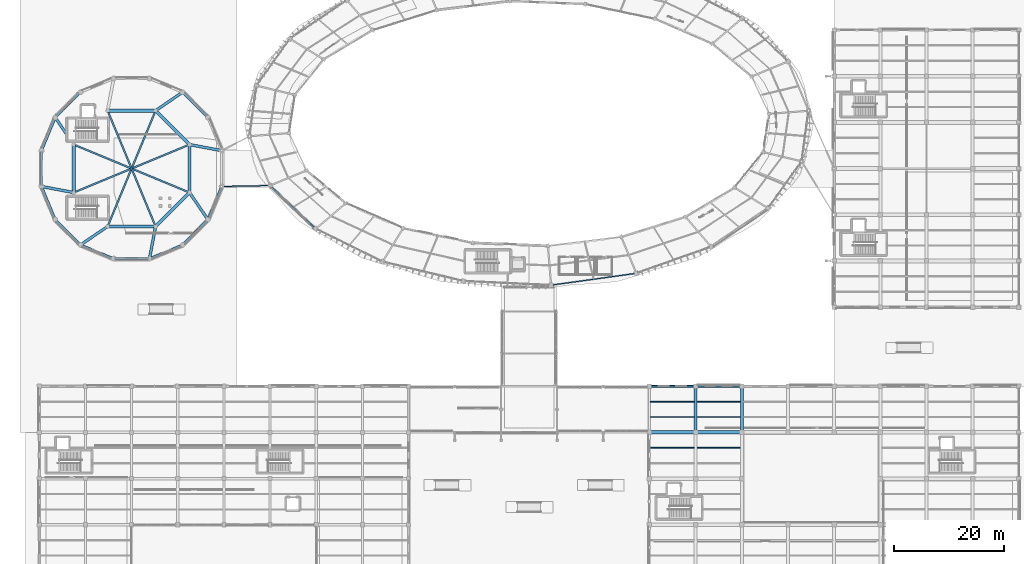
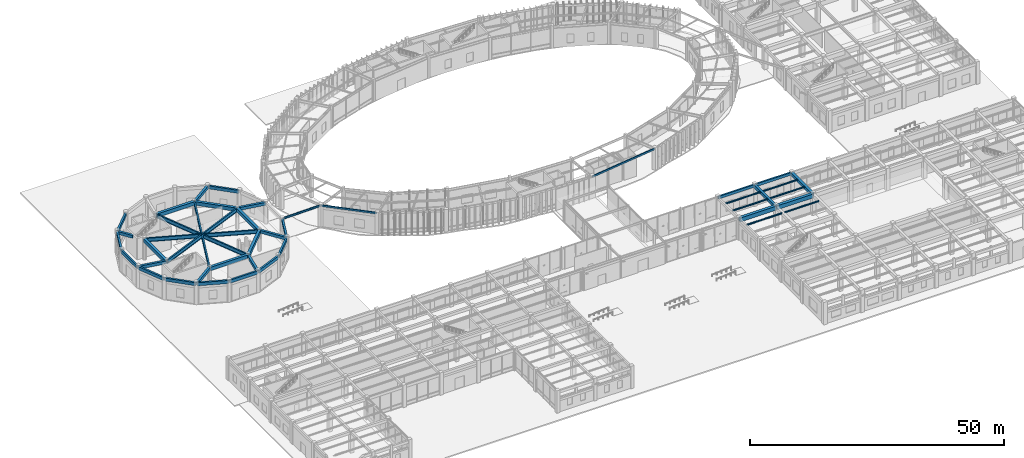
# One storey, part 42 of 157: 43 beams.
"""IFC4 building model written with IfcOpenShell, lengths in metres."""

from ifc_helpers import new_model, si_unit, direction, frame, origin, origin_2d, place, context, subcontext, project, spatial, rectangle, hollow_rectangle, i_section, extrude, material, material_profile, profile_set, type_object, element, save


model = new_model("IFC4")

# Units and contexts
model_context = context("Model", 3, precision=1e-05, world=origin(), true_north=direction((0.0, 1.0)))
body_context = subcontext(model_context, "Body", "Model", "MODEL_VIEW")
ifc_project = project(units=[si_unit("LENGTHUNIT", "METRE"), si_unit("AREAUNIT", "SQUARE_METRE"), si_unit("VOLUMEUNIT", "CUBIC_METRE"), si_unit("PLANEANGLEUNIT", "RADIAN"), si_unit("MASSUNIT", "GRAM", prefix="KILO"), si_unit("THERMODYNAMICTEMPERATUREUNIT", "KELVIN"), si_unit("POWERUNIT", "WATT")], contexts=[model_context])

# Site, building, storey
site_placement = place(None, origin())
site = spatial("IfcSite", under=ifc_project, at=site_placement, CompositionType="ELEMENT")
building_placement = place(site_placement, origin())
building = spatial("IfcBuilding", under=site, at=building_placement, Name="Darbajah Civic Hall", CompositionType="ELEMENT")
storey_placement = place(building_placement, origin())
storey = spatial("IfcBuildingStorey", under=building, at=storey_placement, Name="L00", CompositionType="ELEMENT", Elevation=0.0)

# Beams
ifc_material_1 = material(Name="Concrete C45/55", Category="concrete")
ifc_material_profile_1 = material_profile(ifc_material_1, rectangle(XDim=0.5, YDim=0.699951171875, at=origin_2d()), Name="RC BEAM 500x700")
ifc_profile_set_1 = profile_set([ifc_material_profile_1], Name="Concrete C45/55")
beam_type_1 = type_object("IfcBeamType", Name="RC BEAM 500x700", PredefinedType="BEAM", material=ifc_profile_set_1)
for number, where, z_axis, x_axis, name in (
    (1, (27.410888671875, 85.94775390625, 4.72998046875), (0.982632316348, -0.185563279957, 0.0), (0.185563279957, 0.982632316348, 0.0), "L00 beam BM-5070"),
    (2, (21.228759765625, 92.17724609375, 4.72998046875), (0.826037882137, 0.563614599949, 0.0), (-0.563614599949, 0.826037882137, 0.0), "L00 beam BM-5070"),
):
    element("IfcBeam", number, at=place(storey_placement, frame(where, z_axis=z_axis, x_axis=x_axis)), inside=storey, type_object=beam_type_1, Name=name, PredefinedType="BEAM", context=body_context, shape_type="SweptSolid", body=[
        extrude(rectangle(XDim=0.5, YDim=0.699951171875, at=origin_2d()), origin(), (0.0, 0.0, 1.0), 5.781005859375),
    ])
beam_1_placement = place(storey_placement, frame((4.860107421875, 88.02587890625, 4.72998046875), z_axis=(-0.563629589976, 0.826027654079, 0.0), x_axis=(-0.826027654079, -0.563629589976, 0.0)))
element("IfcBeam", 3, at=beam_1_placement, inside=storey, type_object=beam_type_1, Name="L00 beam BM-5070", PredefinedType="BEAM", context=body_context, shape_type="SweptSolid", body=[
    extrude(rectangle(XDim=0.5, YDim=0.699951171875, at=origin_2d()), origin(), (0.0, 0.0, 1.0), 3.363525390625),
])
for number, where, z_axis, x_axis, name in (
    (4, (6.189208984375, 77.252197265625, 4.72998046875), (-0.982626069841, 0.185596354676, 0.0), (-0.185596354676, -0.982626069841, 0.0), "L00 beam BM-5070"),
    (5, (12.371337890625, 71.022705078125, 4.72998046875), (-0.826051296586, -0.563594939126, 0.0), (0.563594939126, -0.826051296586, 0.0), "L00 beam BM-5070"),
    (6, (21.147705078125, 70.9892578125, 4.72998046875), (-0.185555579839, -0.982633770431, 0.0), (0.982633770431, -0.185555579839, 0.0), "L00 beam BM-5070"),
    (7, (27.377197265625, 77.17138671875, 4.72998046875), (0.563594939126, -0.826051296586, 0.0), (0.826051296586, 0.563594939126, 0.0), "L00 beam BM-5070"),
):
    element("IfcBeam", number, at=place(storey_placement, frame(where, z_axis=z_axis, x_axis=x_axis)), inside=storey, type_object=beam_type_1, Name=name, PredefinedType="BEAM", context=body_context, shape_type="SweptSolid", body=[
        extrude(rectangle(XDim=0.5, YDim=0.699951171875, at=origin_2d()), origin(), (0.0, 0.0, 1.0), 5.78125),
    ])
ifc_material_profile_2 = material_profile(ifc_material_1, rectangle(XDim=0.550048828125, YDim=0.75, at=origin_2d()), Name="RC BEAM 550x750")
ifc_profile_set_2 = profile_set([ifc_material_profile_2], Name="Concrete C45/55")
beam_type_2 = type_object("IfcBeamType", Name="RC BEAM 550x750", PredefinedType="BEAM", material=ifc_profile_set_2)
for number, where, z_axis, x_axis, name in (
    (8, (119.39990234375, 33.679931640625, 4.72509765625), (0.0, 1.0, 0.0), (-1.0, 0.0, 0.0), "L00 beam BM-5575"),
    (9, (127.800048828125, 33.679931640625, 4.72509765625), (0.0, 1.0, 0.0), (-1.0, 0.0, 0.0), "L00 beam BM-5575"),
):
    element("IfcBeam", number, at=place(storey_placement, frame(where, z_axis=z_axis, x_axis=x_axis)), inside=storey, type_object=beam_type_2, Name=name, PredefinedType="BEAM", context=body_context, shape_type="SweptSolid", body=[
        extrude(rectangle(XDim=0.550048828125, YDim=0.75, at=origin_2d()), origin(), (0.0, 0.0, 1.0), 8.239990234375),
    ])
ifc_material_2 = material(Name="Concrete C50/60", Category="concrete")
ifc_material_profile_3 = material_profile(ifc_material_2, rectangle(XDim=0.60009765625, YDim=0.85009765625, at=origin_2d()), Name="RC GIRDER 600x850")
ifc_profile_set_3 = profile_set([ifc_material_profile_3], Name="Concrete C50/60")
beam_type_3 = type_object("IfcBeamType", Name="RC GIRDER 600x850", PredefinedType="BEAM", material=ifc_profile_set_3)
beam_2_placement = place(storey_placement, frame((27.275634765625, 86.019287109375, 4.655029296875), z_axis=(-0.707106781187, 0.707106781187, 0.0), x_axis=(-0.707106781187, -0.707106781187, 0.0)))
element("IfcBeam", 10, at=beam_2_placement, inside=storey, type_object=beam_type_3, Name="L00 beam BG-6085", PredefinedType="BEAM", context=body_context, shape_type="SweptSolid", body=[
    extrude(rectangle(XDim=0.60009765625, YDim=0.85009765625, at=origin_2d()), origin(), (0.0, 0.0, 1.0), 8.56494140625),
])
for number, where, z_axis, x_axis, name in (
    (11, (21.08251953125, 92.132080078125, 4.655029296875), (-1.0, 0.0, 0.0), (0.0, -1.0, 0.0), "L00 beam BG-6085"),
    (12, (6.267822265625, 85.882568359375, 4.655029296875), (0.0, -1.0, 0.0), (1.0, 0.0, 0.0), "L00 beam BG-6085"),
    (13, (12.517333984375, 71.06787109375, 4.655029296875), (1.0, 0.0, 0.0), (0.0, 1.0, 0.0), "L00 beam BG-6085"),
):
    element("IfcBeam", number, at=place(storey_placement, frame(where, z_axis=z_axis, x_axis=x_axis)), inside=storey, type_object=beam_type_3, Name=name, PredefinedType="BEAM", context=body_context, shape_type="SweptSolid", body=[
        extrude(rectangle(XDim=0.60009765625, YDim=0.85009765625, at=origin_2d()), origin(), (0.0, 0.0, 1.0), 8.565185546875),
    ])
beam_3_placement = place(storey_placement, frame((21.21923828125, 71.12451171875, 4.655029296875), z_axis=(0.707106781187, 0.707106781187, 0.0), x_axis=(-0.707106781187, 0.707106781187, 0.0)))
element("IfcBeam", 14, at=beam_3_placement, inside=storey, type_object=beam_type_3, Name="L00 beam BG-6085", PredefinedType="BEAM", context=body_context, shape_type="SweptSolid", body=[
    extrude(rectangle(XDim=0.60009765625, YDim=0.85009765625, at=origin_2d()), origin(), (0.0, 0.0, 1.0), 8.56494140625),
])
beam_4_placement = place(storey_placement, frame((27.332275390625, 77.3173828125, 4.655029296875), z_axis=(0.0, 1.0, 0.0), x_axis=(-1.0, 0.0, 0.0)))
element("IfcBeam", 15, at=beam_4_placement, inside=storey, type_object=beam_type_3, Name="L00 beam BG-6085", PredefinedType="BEAM", context=body_context, shape_type="SweptSolid", body=[
    extrude(rectangle(XDim=0.60009765625, YDim=0.85009765625, at=origin_2d()), origin(), (0.0, 0.0, 1.0), 8.565185546875),
])
ifc_material_profile_4 = material_profile(ifc_material_2, rectangle(XDim=0.64990234375, YDim=0.949951171875, at=origin_2d()), Name="RC GIRDER 650x950")
ifc_profile_set_4 = profile_set([ifc_material_profile_4], Name="Concrete C50/60")
beam_type_4 = type_object("IfcBeamType", Name="RC GIRDER 650x950", PredefinedType="BEAM", material=ifc_profile_set_4)
for number, where, z_axis, x_axis, name in (
    (16, (111.080078125, 33.60009765625, 4.625), (1.0, 0.0, 0.0), (0.0, 1.0, 0.0), "L00 beam BG-6595"),
    (17, (119.47998046875, 33.60009765625, 4.625), (1.0, 0.0, 0.0), (0.0, 1.0, 0.0), "L00 beam BG-6595"),
):
    element("IfcBeam", number, at=place(storey_placement, frame(where, z_axis=z_axis, x_axis=x_axis)), inside=storey, type_object=beam_type_4, Name=name, PredefinedType="BEAM", context=body_context, shape_type="SweptSolid", body=[
        extrude(rectangle(XDim=0.64990234375, YDim=0.949951171875, at=origin_2d()), origin(), (0.0, 0.0, 1.0), 8.239990234375),
    ])
ifc_material_profile_5 = material_profile(ifc_material_1, rectangle(XDim=0.35009765625, YDim=0.64990234375, at=origin_2d()), Name="RC SPANDREL 350x650")
ifc_profile_set_5 = profile_set([ifc_material_profile_5], Name="Concrete C45/55")
beam_type_5 = type_object("IfcBeamType", Name="RC SPANDREL 350x650", PredefinedType="SPANDREL", material=ifc_profile_set_5)
for number, where, z_axis, x_axis, name in (
    (18, (111.080078125, 42.0, 4.77490234375), (1.0, 0.0, 0.0), (0.0, 1.0, 0.0), "L00 beam SP-3565"),
    (19, (119.47998046875, 42.0, 4.77490234375), (1.0, 0.0, 0.0), (0.0, 1.0, 0.0), "L00 beam SP-3565"),
):
    element("IfcBeam", number, at=place(storey_placement, frame(where, z_axis=z_axis, x_axis=x_axis)), inside=storey, type_object=beam_type_5, Name=name, PredefinedType="SPANDREL", context=body_context, shape_type="SweptSolid", body=[
        extrude(rectangle(XDim=0.35009765625, YDim=0.64990234375, at=origin_2d()), origin(), (0.0, 0.0, 1.0), 8.239990234375),
    ])
ifc_material_profile_6 = material_profile(ifc_material_1, rectangle(XDim=0.39990234375, YDim=0.75, at=origin_2d()), Name="RC SPANDREL 400x750")
ifc_profile_set_6 = profile_set([ifc_material_profile_6], Name="Concrete C45/55")
beam_type_6 = type_object("IfcBeamType", Name="RC SPANDREL 400x750", PredefinedType="SPANDREL", material=ifc_profile_set_6)
for number, where, z_axis, x_axis, name in (
    (20, (30.622802734375, 90.942138671875, 4.705078125), (-0.707126045514, 0.707087516334, 0.0), (-0.707087516334, -0.707126045514, 0.0), "L00 beam SP-4075"),
    (21, (7.4580078125, 95.422607421875, 4.705078125), (-0.707126045514, -0.707087516334, 0.0), (0.707087516334, -0.707126045514, 0.0), "L00 beam SP-4075"),
    (22, (2.87939453125, 90.79541015625, 4.705078125), (-0.382715898409, -0.923866083967, 0.0), (0.923866083967, -0.382715898409, 0.0), "L00 beam SP-4075"),
    (23, (0.419921875, 84.768310546875, 4.705078125), (0.0, -1.0, 0.0), (1.0, 0.0, 0.0), "L00 beam SP-4075"),
):
    element("IfcBeam", number, at=place(storey_placement, frame(where, z_axis=z_axis, x_axis=x_axis)), inside=storey, type_object=beam_type_6, Name=name, PredefinedType="SPANDREL", context=body_context, shape_type="SweptSolid", body=[
        extrude(rectangle(XDim=0.39990234375, YDim=0.75, at=origin_2d()), origin(), (0.0, 0.0, 1.0), 6.33642578125),
    ])
beam_5_placement = place(storey_placement, frame((0.454345703125, 78.2587890625, 4.705078125), z_axis=(0.382702275575, -0.923871727173, 0.0), x_axis=(0.923871727173, 0.382702275575, 0.0)))
element("IfcBeam", 24, at=beam_5_placement, inside=storey, type_object=beam_type_6, Name="L00 beam SP-4075", PredefinedType="SPANDREL", context=body_context, shape_type="SweptSolid", body=[
    extrude(rectangle(XDim=0.39990234375, YDim=0.75, at=origin_2d()), origin(), (0.0, 0.0, 1.0), 6.336669921875),
])
beam_6_placement = place(storey_placement, frame((2.977294921875, 72.2578125, 4.705078125), z_axis=(0.707126045514, -0.707087516334, 0.0), x_axis=(0.707087516334, 0.707126045514, 0.0)))
element("IfcBeam", 25, at=beam_6_placement, inside=storey, type_object=beam_type_6, Name="L00 beam SP-4075", PredefinedType="SPANDREL", context=body_context, shape_type="SweptSolid", body=[
    extrude(rectangle(XDim=0.39990234375, YDim=0.75, at=origin_2d()), origin(), (0.0, 0.0, 1.0), 6.33642578125),
])
beam_7_placement = place(storey_placement, frame((7.6044921875, 67.67919921875, 4.705078125), z_axis=(0.923885349179, -0.382669389384, 0.0), x_axis=(0.382669389384, 0.923885349179, 0.0)))
element("IfcBeam", 26, at=beam_7_placement, inside=storey, type_object=beam_type_6, Name="L00 beam SP-4075", PredefinedType="SPANDREL", context=body_context, shape_type="SweptSolid", body=[
    extrude(rectangle(XDim=0.39990234375, YDim=0.75, at=origin_2d()), origin(), (0.0, 0.0, 1.0), 6.336669921875),
])
for number, where, z_axis, x_axis, name in (
    (27, (13.6318359375, 65.219970703125, 4.705078125), (1.0, 0.0, 0.0), (0.0, 1.0, 0.0), "L00 beam SP-4075"),
    (28, (20.141357421875, 65.25439453125, 4.705078125), (0.92387970686, 0.382683011449, 0.0), (-0.382683011449, 0.92387970686, 0.0), "L00 beam SP-4075"),
    (29, (26.14208984375, 67.77734375, 4.705078125), (0.707126045514, 0.707087516334, 0.0), (-0.707087516334, 0.707126045514, 0.0), "L00 beam SP-4075"),
):
    element("IfcBeam", number, at=place(storey_placement, frame(where, z_axis=z_axis, x_axis=x_axis)), inside=storey, type_object=beam_type_6, Name=name, PredefinedType="SPANDREL", context=body_context, shape_type="SweptSolid", body=[
        extrude(rectangle(XDim=0.39990234375, YDim=0.75, at=origin_2d()), origin(), (0.0, 0.0, 1.0), 6.33642578125),
    ])
beam_8_placement = place(storey_placement, frame((30.720703125, 72.404541015625, 4.705078125), z_axis=(0.382669389384, 0.923885349179, 0.0), x_axis=(-0.923885349179, 0.382669389384, 0.0)))
element("IfcBeam", 30, at=beam_8_placement, inside=storey, type_object=beam_type_6, Name="L00 beam SP-4075", PredefinedType="SPANDREL", context=body_context, shape_type="SweptSolid", body=[
    extrude(rectangle(XDim=0.39990234375, YDim=0.75, at=origin_2d()), origin(), (0.0, 0.0, 1.0), 6.336669921875),
])
ifc_material_3 = material(Name="Steel S355JR", Category="steel")
ifc_material_profile_7 = material_profile(ifc_material_3, hollow_rectangle(XDim=0.199951171875, YDim=0.39990234375, WallThickness=0.013916015625, at=origin_2d()), Name="RHS 400x200x14")
ifc_profile_set_7 = profile_set([ifc_material_profile_7], Name="Steel S355JR")
beam_type_7 = type_object("IfcBeamType", Name="RHS 400x200x14", PredefinedType="SPANDREL", material=ifc_profile_set_7)
beam_9_placement = place(storey_placement, frame((42.040283203125, 78.455810546875, 4.919921875), z_axis=(0.727210771045, -0.686414229512, 0.0), x_axis=(0.686414229512, 0.727210771045, 0.0)))
element("IfcBeam", 31, at=beam_9_placement, inside=storey, type_object=beam_type_7, Name="L00 beam SP-RHS400", PredefinedType="SPANDREL", context=body_context, shape_type="SweptSolid", body=[
    extrude(hollow_rectangle(XDim=0.199951171875, YDim=0.39990234375, WallThickness=0.013916015625, at=origin_2d()), origin(), (0.0, 0.0, 1.0), 11.304443359375),
])
beam_10_placement = place(storey_placement, frame((93.1806640625, 60.40185546875, 4.919921875), z_axis=(0.990493107575, 0.137562363482, 0.0), x_axis=(-0.137562363482, 0.990493107575, 0.0)))
element("IfcBeam", 32, at=beam_10_placement, inside=storey, type_object=beam_type_7, Name="L00 beam SP-RHS400", PredefinedType="SPANDREL", context=body_context, shape_type="SweptSolid", body=[
    extrude(hollow_rectangle(XDim=0.199951171875, YDim=0.39990234375, WallThickness=0.013916015625, at=origin_2d()), origin(), (0.0, 0.0, 1.0), 15.50439453125),
])
ifc_material_profile_8 = material_profile(ifc_material_3, i_section(OverallWidth=0.146484375, OverallDepth=0.256103515625, WebThickness=0.00634765625, FlangeThickness=0.010986328125, FilletRadius=0.007568359375, at=origin_2d()), Name="UB 254x146x37")
ifc_profile_set_8 = profile_set([ifc_material_profile_8], Name="Steel S355JR")
beam_type_8 = type_object("IfcBeamType", Name="UB 254x146x37", PredefinedType="JOIST", material=ifc_profile_set_8)
for number, where, z_axis, x_axis, name in (
    (33, (111.175048828125, 30.800048828125, 4.971923828125), (1.0, 0.0, 0.0), (0.0, 1.0, 0.0), "L00 beam SJ-254"),
    (34, (111.175048828125, 36.39990234375, 4.971923828125), (1.0, 0.0, 0.0), (0.0, 1.0, 0.0), "L00 beam SJ-254"),
    (35, (111.175048828125, 39.199951171875, 4.971923828125), (1.0, 0.0, 0.0), (0.0, 1.0, 0.0), "L00 beam SJ-254"),
):
    element("IfcBeam", number, at=place(storey_placement, frame(where, z_axis=z_axis, x_axis=x_axis)), inside=storey, type_object=beam_type_8, Name=name, PredefinedType="JOIST", context=body_context, shape_type="SweptSolid", body=[
        extrude(i_section(OverallWidth=0.146484375, OverallDepth=0.256103515625, WebThickness=0.00634765625, FlangeThickness=0.010986328125, FilletRadius=0.007568359375, at=origin_2d()), origin(), (0.0, 0.0, 1.0), 7.949951171875),
    ])
for number, where, z_axis, x_axis, name in (
    (36, (119.675048828125, 30.800048828125, 4.971923828125), (1.0, 0.0, 0.0), (0.0, 1.0, 0.0), "L00 beam SJ-254"),
    (37, (119.675048828125, 36.39990234375, 4.971923828125), (1.0, 0.0, 0.0), (0.0, 1.0, 0.0), "L00 beam SJ-254"),
    (38, (119.675048828125, 39.199951171875, 4.971923828125), (1.0, 0.0, 0.0), (0.0, 1.0, 0.0), "L00 beam SJ-254"),
):
    element("IfcBeam", number, at=place(storey_placement, frame(where, z_axis=z_axis, x_axis=x_axis)), inside=storey, type_object=beam_type_8, Name=name, PredefinedType="JOIST", context=body_context, shape_type="SweptSolid", body=[
        extrude(i_section(OverallWidth=0.146484375, OverallDepth=0.256103515625, WebThickness=0.00634765625, FlangeThickness=0.010986328125, FilletRadius=0.007568359375, at=origin_2d()), origin(), (0.0, 0.0, 1.0), 7.849853515625),
    ])
ifc_material_profile_9 = material_profile(ifc_material_3, i_section(OverallWidth=0.1904296875, OverallDepth=0.45703125, WebThickness=0.009033203125, FlangeThickness=0.014404296875, FilletRadius=0.01025390625, at=origin_2d()), Name="UB 457x191x74")
ifc_profile_set_9 = profile_set([ifc_material_profile_9], Name="Steel S355JR")
beam_type_9 = type_object("IfcBeamType", Name="UB 457x191x74", PredefinedType="BEAM", material=ifc_profile_set_9)
beam_11_placement = place(storey_placement, frame((33.239990234375, 78.343017578125, 4.931396484375), z_axis=(0.999816157201, 0.019174248333, 0.0), x_axis=(-0.019174248333, 0.999816157201, 0.0)))
element("IfcBeam", 39, at=beam_11_placement, inside=storey, type_object=beam_type_9, Name="L00 beam SB-457", PredefinedType="BEAM", context=body_context, shape_type="SweptSolid", body=[
    extrude(i_section(OverallWidth=0.1904296875, OverallDepth=0.45703125, WebThickness=0.009033203125, FlangeThickness=0.014404296875, FilletRadius=0.01025390625, at=origin_2d()), origin(), (0.0, 0.0, 1.0), 8.683837890625),
])
ifc_material_profile_10 = material_profile(ifc_material_3, i_section(OverallWidth=0.305419921875, OverallDepth=0.91845703125, WebThickness=0.017333984375, FlangeThickness=0.02783203125, FilletRadius=0.01904296875, at=origin_2d()), Name="UB 914x305x253")
ifc_profile_set_10 = profile_set([ifc_material_profile_10], Name="Steel S355JR")
beam_type_10 = type_object("IfcBeamType", Name="UB 914x305x253", PredefinedType="BEAM", material=ifc_profile_set_10)
beam_12_placement = place(storey_placement, frame((27.25830078125, 85.931884765625, 4.620849609375), z_axis=(-0.923880801123, -0.382680369651, 0.0), x_axis=(0.382680369651, -0.923880801123, 0.0)))
element("IfcBeam", 40, at=beam_12_placement, inside=storey, type_object=beam_type_10, Name="L00 beam SB-914", PredefinedType="BEAM", context=body_context, shape_type="SweptSolid", body=[
    extrude(i_section(OverallWidth=0.305419921875, OverallDepth=0.91845703125, WebThickness=0.017333984375, FlangeThickness=0.02783203125, FilletRadius=0.01904296875, at=origin_2d()), origin(), (0.0, 0.0, 1.0), 22.639892578125),
])
for number, where, z_axis, x_axis, name in (
    (41, (21.132080078125, 92.058349609375, 4.620849609375), (-0.382685761458, -0.923878567766, 0.0), (0.923878567766, -0.382685761458, 0.0), "L00 beam SB-914"),
    (42, (12.468017578125, 92.058349609375, 4.620849609375), (0.382685761458, -0.923878567766, 0.0), (0.923878567766, 0.382685761458, 0.0), "L00 beam SB-914"),
):
    element("IfcBeam", number, at=place(storey_placement, frame(where, z_axis=z_axis, x_axis=x_axis)), inside=storey, type_object=beam_type_10, Name=name, PredefinedType="BEAM", context=body_context, shape_type="SweptSolid", body=[
        extrude(i_section(OverallWidth=0.305419921875, OverallDepth=0.91845703125, WebThickness=0.017333984375, FlangeThickness=0.02783203125, FilletRadius=0.01904296875, at=origin_2d()), origin(), (0.0, 0.0, 1.0), 22.64013671875),
    ])
beam_13_placement = place(storey_placement, frame((6.341796875, 85.931884765625, 4.620849609375), z_axis=(0.923880801123, -0.382680369651, 0.0), x_axis=(0.382680369651, 0.923880801123, 0.0)))
element("IfcBeam", 43, at=beam_13_placement, inside=storey, type_object=beam_type_10, Name="L00 beam SB-914", PredefinedType="BEAM", context=body_context, shape_type="SweptSolid", body=[
    extrude(i_section(OverallWidth=0.305419921875, OverallDepth=0.91845703125, WebThickness=0.017333984375, FlangeThickness=0.02783203125, FilletRadius=0.01904296875, at=origin_2d()), origin(), (0.0, 0.0, 1.0), 22.639892578125),
])

save(model, "model.ifc")
